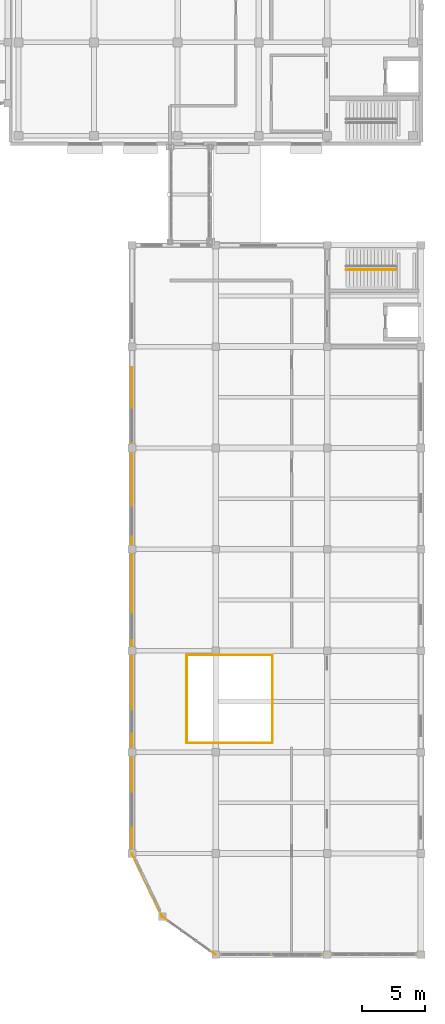
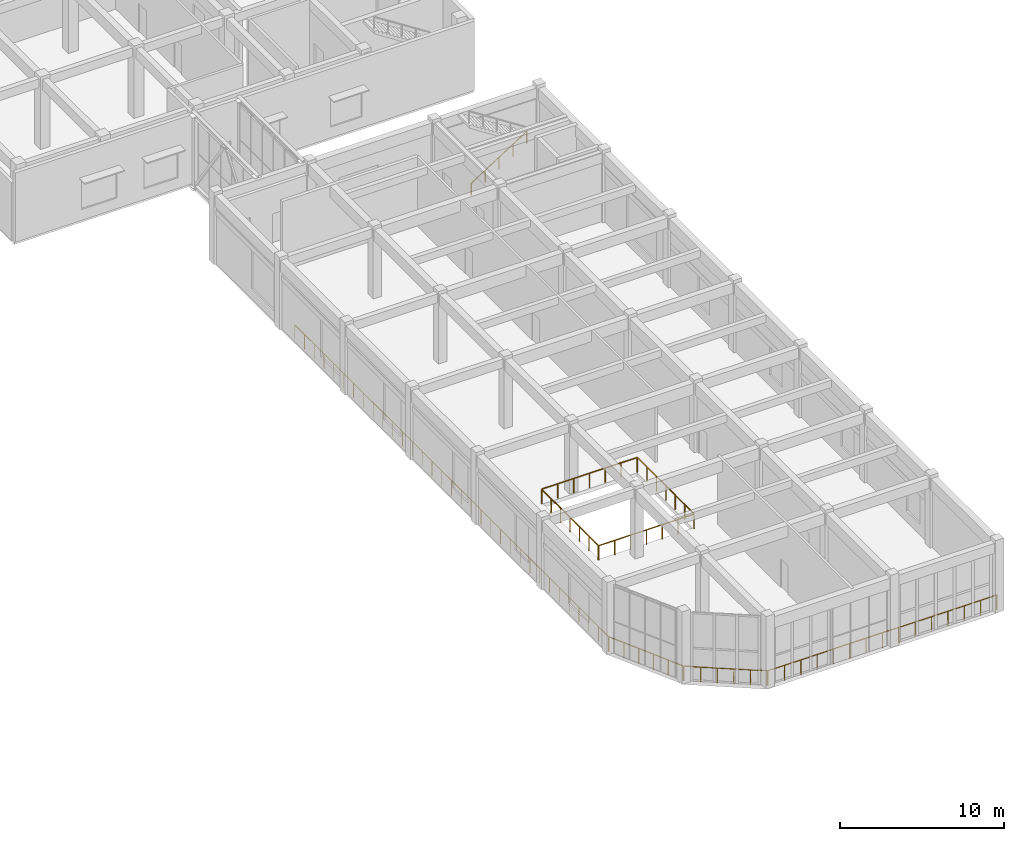
# One storey, part 60 of 64: 9 railings.
"""IFC4 building model written with IfcOpenShell, lengths in metres."""

from ifc_helpers import new_model, si_unit, direction, frame, origin, origin_2d, place, context, subcontext, project, spatial, circle, extrude, material, type_object, element, save


model = new_model("IFC4")

# Units and contexts
model_context = context("Model", 3, precision=1e-05, world=origin(), true_north=direction((0.0, 1.0)))
body_context = subcontext(model_context, "Body", "Model", "MODEL_VIEW")
ifc_project = project(units=[si_unit("LENGTHUNIT", "METRE"), si_unit("AREAUNIT", "SQUARE_METRE"), si_unit("VOLUMEUNIT", "CUBIC_METRE"), si_unit("PLANEANGLEUNIT", "RADIAN"), si_unit("MASSUNIT", "GRAM", prefix="KILO")], contexts=[model_context])

# Site, building, storey
site_placement = place(None, origin())
site = spatial("IfcSite", under=ifc_project, at=site_placement, CompositionType="ELEMENT")
building_placement = place(site_placement, origin())
building = spatial("IfcBuilding", under=site, at=building_placement, Name="Cinchona Park Media Centre", CompositionType="ELEMENT")
storey_placement = place(building_placement, frame((0.0, 0.0, 10.199951171875)))
storey = spatial("IfcBuildingStorey", under=building, at=storey_placement, Name="L02", CompositionType="ELEMENT", Elevation=10.199951171875)

# Railings
ifc_material_1 = material(Name="Galvanised Painted Steel Balustrade", Category="steel")
railing_type_1 = type_object("IfcRailingType", Name="RAILING-GR01", PredefinedType="BALUSTRADE", material=ifc_material_1)
railing_1_placement = place(storey_placement, frame((153.552001953125, 24.320068359375, 0.0)))
element("IfcRailing", 1, at=railing_1_placement, inside=storey, type_object=railing_type_1, Name="Atrium Balustrade GR01 VOID-L02-ATRIUM S1", PredefinedType="BALUSTRADE", context=body_context, shape_type="SweptSolid", body=[
    extrude(circle(Radius=0.02392578125, at=origin_2d()), frame((0.0, 0.0, 1.076171875), z_axis=(1.0, 0.0, 0.0), x_axis=(0.0, 1.0, 0.0)), (0.0, 0.0, 1.0), 6.696044921875),
    extrude(circle(Radius=0.02099609375, at=origin_2d()), origin(), (0.0, 0.0, 1.0), 1.052001953125),
    extrude(circle(Radius=0.02099609375, at=origin_2d()), frame((1.115966796875, 0.0, 0.0)), (0.0, 0.0, 1.0), 1.052001953125),
    extrude(circle(Radius=0.02099609375, at=origin_2d()), frame((2.23193359375, 0.0, 0.0)), (0.0, 0.0, 1.0), 1.052001953125),
    extrude(circle(Radius=0.02099609375, at=origin_2d()), frame((3.34814453125, 0.0, 0.0)), (0.0, 0.0, 1.0), 1.052001953125),
    extrude(circle(Radius=0.02099609375, at=origin_2d()), frame((4.464111328125, 0.0, 0.0)), (0.0, 0.0, 1.0), 1.052001953125),
    extrude(circle(Radius=0.02099609375, at=origin_2d()), frame((5.580078125, 0.0, 0.0)), (0.0, 0.0, 1.0), 1.052001953125),
    extrude(circle(Radius=0.02099609375, at=origin_2d()), frame((6.696044921875, 0.0, 0.0)), (0.0, 0.0, 1.0), 1.052001953125),
])
railing_2_placement = place(storey_placement, frame((160.280029296875, 24.35205078125, 0.0)))
element("IfcRailing", 2, at=railing_2_placement, inside=storey, type_object=railing_type_1, Name="Atrium Balustrade GR01 VOID-L02-ATRIUM S2", PredefinedType="BALUSTRADE", context=body_context, shape_type="SweptSolid", body=[
    extrude(circle(Radius=0.02392578125, at=origin_2d()), frame((0.0, 0.0, 1.076171875), z_axis=(0.0, 1.0, 0.0), x_axis=(-1.0, 0.0, 0.0)), (0.0, 0.0, 1.0), 6.89599609375),
    extrude(circle(Radius=0.02099609375, at=origin_2d()), origin(), (0.0, 0.0, 1.0), 1.052001953125),
    extrude(circle(Radius=0.02099609375, at=origin_2d()), frame((0.0, 1.1494140625, 0.0)), (0.0, 0.0, 1.0), 1.052001953125),
    extrude(circle(Radius=0.02099609375, at=origin_2d()), frame((0.0, 2.298583984375, 0.0)), (0.0, 0.0, 1.0), 1.052001953125),
    extrude(circle(Radius=0.02099609375, at=origin_2d()), frame((0.0, 3.447998046875, 0.0)), (0.0, 0.0, 1.0), 1.052001953125),
    extrude(circle(Radius=0.02099609375, at=origin_2d()), frame((0.0, 4.597412109375, 0.0)), (0.0, 0.0, 1.0), 1.052001953125),
    extrude(circle(Radius=0.02099609375, at=origin_2d()), frame((0.0, 5.74658203125, 0.0)), (0.0, 0.0, 1.0), 1.052001953125),
    extrude(circle(Radius=0.02099609375, at=origin_2d()), frame((0.0, 6.89599609375, 0.0)), (0.0, 0.0, 1.0), 1.052001953125),
])
railing_3_placement = place(storey_placement, frame((160.248046875, 31.280029296875, 0.0)))
element("IfcRailing", 3, at=railing_3_placement, inside=storey, type_object=railing_type_1, Name="Atrium Balustrade GR01 VOID-L02-ATRIUM S3", PredefinedType="BALUSTRADE", context=body_context, shape_type="SweptSolid", body=[
    extrude(circle(Radius=0.02392578125, at=origin_2d()), frame((0.0, 0.0, 1.076171875), z_axis=(-1.0, 0.0, 0.0), x_axis=(0.0, -1.0, 0.0)), (0.0, 0.0, 1.0), 6.696044921875),
    extrude(circle(Radius=0.02099609375, at=origin_2d()), origin(), (0.0, 0.0, 1.0), 1.052001953125),
    extrude(circle(Radius=0.02099609375, at=origin_2d()), frame((-1.115966796875, 0.0, 0.0)), (0.0, 0.0, 1.0), 1.052001953125),
    extrude(circle(Radius=0.02099609375, at=origin_2d()), frame((-2.23193359375, 0.0, 0.0)), (0.0, 0.0, 1.0), 1.052001953125),
    extrude(circle(Radius=0.02099609375, at=origin_2d()), frame((-3.34814453125, 0.0, 0.0)), (0.0, 0.0, 1.0), 1.052001953125),
    extrude(circle(Radius=0.02099609375, at=origin_2d()), frame((-4.464111328125, 0.0, 0.0)), (0.0, 0.0, 1.0), 1.052001953125),
    extrude(circle(Radius=0.02099609375, at=origin_2d()), frame((-5.580078125, 0.0, 0.0)), (0.0, 0.0, 1.0), 1.052001953125),
    extrude(circle(Radius=0.02099609375, at=origin_2d()), frame((-6.696044921875, 0.0, 0.0)), (0.0, 0.0, 1.0), 1.052001953125),
])
railing_4_placement = place(storey_placement, frame((153.52001953125, 31.248046875, 0.0)))
element("IfcRailing", 4, at=railing_4_placement, inside=storey, type_object=railing_type_1, Name="Atrium Balustrade GR01 VOID-L02-ATRIUM S4", PredefinedType="BALUSTRADE", context=body_context, shape_type="SweptSolid", body=[
    extrude(circle(Radius=0.02392578125, at=origin_2d()), frame((0.0, 0.0, 1.076171875), z_axis=(0.0, -1.0, 0.0), x_axis=(1.0, 0.0, 0.0)), (0.0, 0.0, 1.0), 6.89599609375),
    extrude(circle(Radius=0.02099609375, at=origin_2d()), origin(), (0.0, 0.0, 1.0), 1.052001953125),
    extrude(circle(Radius=0.02099609375, at=origin_2d()), frame((0.0, -1.1494140625, 0.0)), (0.0, 0.0, 1.0), 1.052001953125),
    extrude(circle(Radius=0.02099609375, at=origin_2d()), frame((0.0, -2.298583984375, 0.0)), (0.0, 0.0, 1.0), 1.052001953125),
    extrude(circle(Radius=0.02099609375, at=origin_2d()), frame((0.0, -3.447998046875, 0.0)), (0.0, 0.0, 1.0), 1.052001953125),
    extrude(circle(Radius=0.02099609375, at=origin_2d()), frame((0.0, -4.597412109375, 0.0)), (0.0, 0.0, 1.0), 1.052001953125),
    extrude(circle(Radius=0.02099609375, at=origin_2d()), frame((0.0, -5.74658203125, 0.0)), (0.0, 0.0, 1.0), 1.052001953125),
    extrude(circle(Radius=0.02099609375, at=origin_2d()), frame((0.0, -6.89599609375, 0.0)), (0.0, 0.0, 1.0), 1.052001953125),
])
railing_5_placement = place(storey_placement, frame((149.199951171875, 53.968017578125, 0.0)))
element("IfcRailing", 5, at=railing_5_placement, inside=storey, type_object=railing_type_1, Name="Glazed Prow Perimeter Guardrail GR01 L02 S1", PredefinedType="BALUSTRADE", context=body_context, shape_type="SweptSolid", body=[
    extrude(circle(Radius=0.02392578125, at=origin_2d()), frame((0.0, 0.0, 1.09619140625), z_axis=(0.0, -1.0, 0.0), x_axis=(1.0, 0.0, 0.0)), (0.0, 0.0, 1.0), 38.3359375),
    extrude(circle(Radius=0.02099609375, at=origin_2d()), origin(), (0.0, 0.0, 1.0), 1.072021484375),
    extrude(circle(Radius=0.02099609375, at=origin_2d()), frame((0.0, -1.197998046875, 0.0)), (0.0, 0.0, 1.0), 1.072021484375),
    extrude(circle(Radius=0.02099609375, at=origin_2d()), frame((0.0, -2.39599609375, 0.0)), (0.0, 0.0, 1.0), 1.072021484375),
    extrude(circle(Radius=0.02099609375, at=origin_2d()), frame((0.0, -3.593994140625, 0.0)), (0.0, 0.0, 1.0), 1.072021484375),
    extrude(circle(Radius=0.02099609375, at=origin_2d()), frame((0.0, -4.7919921875, 0.0)), (0.0, 0.0, 1.0), 1.072021484375),
    extrude(circle(Radius=0.02099609375, at=origin_2d()), frame((0.0, -5.989990234375, 0.0)), (0.0, 0.0, 1.0), 1.072021484375),
    extrude(circle(Radius=0.02099609375, at=origin_2d()), frame((0.0, -7.18798828125, 0.0)), (0.0, 0.0, 1.0), 1.072021484375),
    extrude(circle(Radius=0.02099609375, at=origin_2d()), frame((0.0, -8.385986328125, 0.0)), (0.0, 0.0, 1.0), 1.072021484375),
    extrude(circle(Radius=0.02099609375, at=origin_2d()), frame((0.0, -9.583984375, 0.0)), (0.0, 0.0, 1.0), 1.072021484375),
    extrude(circle(Radius=0.02099609375, at=origin_2d()), frame((0.0, -10.781982421875, 0.0)), (0.0, 0.0, 1.0), 1.072021484375),
    extrude(circle(Radius=0.02099609375, at=origin_2d()), frame((0.0, -11.97998046875, 0.0)), (0.0, 0.0, 1.0), 1.072021484375),
    extrude(circle(Radius=0.02099609375, at=origin_2d()), frame((0.0, -13.177978515625, 0.0)), (0.0, 0.0, 1.0), 1.072021484375),
    extrude(circle(Radius=0.02099609375, at=origin_2d()), frame((0.0, -14.3759765625, 0.0)), (0.0, 0.0, 1.0), 1.072021484375),
    extrude(circle(Radius=0.02099609375, at=origin_2d()), frame((0.0, -15.573974609375, 0.0)), (0.0, 0.0, 1.0), 1.072021484375),
    extrude(circle(Radius=0.02099609375, at=origin_2d()), frame((0.0, -16.77197265625, 0.0)), (0.0, 0.0, 1.0), 1.072021484375),
    extrude(circle(Radius=0.02099609375, at=origin_2d()), frame((0.0, -17.969970703125, 0.0)), (0.0, 0.0, 1.0), 1.072021484375),
    extrude(circle(Radius=0.02099609375, at=origin_2d()), frame((0.0, -19.16796875, 0.0)), (0.0, 0.0, 1.0), 1.072021484375),
    extrude(circle(Radius=0.02099609375, at=origin_2d()), frame((0.0, -20.365966796875, 0.0)), (0.0, 0.0, 1.0), 1.072021484375),
    extrude(circle(Radius=0.02099609375, at=origin_2d()), frame((0.0, -21.56396484375, 0.0)), (0.0, 0.0, 1.0), 1.072021484375),
    extrude(circle(Radius=0.02099609375, at=origin_2d()), frame((0.0, -22.761962890625, 0.0)), (0.0, 0.0, 1.0), 1.072021484375),
    extrude(circle(Radius=0.02099609375, at=origin_2d()), frame((0.0, -23.9599609375, 0.0)), (0.0, 0.0, 1.0), 1.072021484375),
    extrude(circle(Radius=0.02099609375, at=origin_2d()), frame((0.0, -25.157958984375, 0.0)), (0.0, 0.0, 1.0), 1.072021484375),
    extrude(circle(Radius=0.02099609375, at=origin_2d()), frame((0.0, -26.35595703125, 0.0)), (0.0, 0.0, 1.0), 1.072021484375),
    extrude(circle(Radius=0.02099609375, at=origin_2d()), frame((0.0, -27.553955078125, 0.0)), (0.0, 0.0, 1.0), 1.072021484375),
    extrude(circle(Radius=0.02099609375, at=origin_2d()), frame((0.0, -28.751953125, 0.0)), (0.0, 0.0, 1.0), 1.072021484375),
    extrude(circle(Radius=0.02099609375, at=origin_2d()), frame((0.0, -29.949951171875, 0.0)), (0.0, 0.0, 1.0), 1.072021484375),
    extrude(circle(Radius=0.02099609375, at=origin_2d()), frame((0.0, -31.14794921875, 0.0)), (0.0, 0.0, 1.0), 1.072021484375),
    extrude(circle(Radius=0.02099609375, at=origin_2d()), frame((0.0, -32.345947265625, 0.0)), (0.0, 0.0, 1.0), 1.072021484375),
    extrude(circle(Radius=0.02099609375, at=origin_2d()), frame((0.0, -33.5439453125, 0.0)), (0.0, 0.0, 1.0), 1.072021484375),
    extrude(circle(Radius=0.02099609375, at=origin_2d()), frame((0.0, -34.741943359375, 0.0)), (0.0, 0.0, 1.0), 1.072021484375),
    extrude(circle(Radius=0.02099609375, at=origin_2d()), frame((0.0, -35.93994140625, 0.0)), (0.0, 0.0, 1.0), 1.072021484375),
    extrude(circle(Radius=0.02099609375, at=origin_2d()), frame((0.0, -37.137939453125, 0.0)), (0.0, 0.0, 1.0), 1.072021484375),
    extrude(circle(Radius=0.02099609375, at=origin_2d()), frame((0.0, -38.3359375, 0.0)), (0.0, 0.0, 1.0), 1.072021484375),
])
railing_6_placement = place(storey_placement, frame((149.214111328125, 15.571044921875, 0.0)))
element("IfcRailing", 6, at=railing_6_placement, inside=storey, type_object=railing_type_1, Name="Glazed Prow Perimeter Guardrail GR01 L02 S2", PredefinedType="BALUSTRADE", context=body_context, shape_type="SweptSolid", body=[
    extrude(circle(Radius=0.02392578125, at=origin_2d()), frame((0.0, 0.0, 1.09619140625), z_axis=(0.432671704006, -0.901551549582, 0.0), x_axis=(0.901551549582, 0.432671704006, 0.0)), (0.0, 0.0, 1.0), 5.48193359375),
    extrude(circle(Radius=0.02099609375, at=origin_2d()), origin(), (0.0, 0.0, 1.0), 1.072021484375),
    extrude(circle(Radius=0.02099609375, at=origin_2d()), frame((0.474365234375, -0.988525390625, 0.0)), (0.0, 0.0, 1.0), 1.072021484375),
    extrude(circle(Radius=0.02099609375, at=origin_2d()), frame((0.94873046875, -1.976806640625, 0.0)), (0.0, 0.0, 1.0), 1.072021484375),
    extrude(circle(Radius=0.02099609375, at=origin_2d()), frame((1.423095703125, -2.96533203125, 0.0)), (0.0, 0.0, 1.0), 1.072021484375),
    extrude(circle(Radius=0.02099609375, at=origin_2d()), frame((1.8974609375, -3.95361328125, 0.0)), (0.0, 0.0, 1.0), 1.072021484375),
    extrude(circle(Radius=0.02099609375, at=origin_2d()), frame((2.371826171875, -4.942138671875, 0.0)), (0.0, 0.0, 1.0), 1.072021484375),
])
railing_7_placement = place(storey_placement, frame((151.6259765625, 10.5810546875, 0.0)))
element("IfcRailing", 7, at=railing_7_placement, inside=storey, type_object=railing_type_1, Name="Glazed Prow Perimeter Guardrail GR01 L02 S3", PredefinedType="BALUSTRADE", context=body_context, shape_type="SweptSolid", body=[
    extrude(circle(Radius=0.02392578125, at=origin_2d()), frame((0.0, 0.0, 1.09619140625), z_axis=(0.813794957928, -0.581152102681, 0.0), x_axis=(0.581152102681, 0.813794957928, 0.0)), (0.0, 0.0, 1.0), 5.096923828125),
    extrude(circle(Radius=0.02099609375, at=origin_2d()), origin(), (0.0, 0.0, 1.0), 1.072021484375),
    extrude(circle(Radius=0.02099609375, at=origin_2d()), frame((0.82958984375, -0.592529296875, 0.0)), (0.0, 0.0, 1.0), 1.072021484375),
    extrude(circle(Radius=0.02099609375, at=origin_2d()), frame((1.6591796875, -1.184814453125, 0.0)), (0.0, 0.0, 1.0), 1.072021484375),
    extrude(circle(Radius=0.02099609375, at=origin_2d()), frame((2.48876953125, -1.77734375, 0.0)), (0.0, 0.0, 1.0), 1.072021484375),
    extrude(circle(Radius=0.02099609375, at=origin_2d()), frame((3.318359375, -2.36962890625, 0.0)), (0.0, 0.0, 1.0), 1.072021484375),
    extrude(circle(Radius=0.02099609375, at=origin_2d()), frame((4.14794921875, -2.962158203125, 0.0)), (0.0, 0.0, 1.0), 1.072021484375),
])
railing_8_placement = place(storey_placement, frame((155.83203125, 7.60009765625, 0.0)))
element("IfcRailing", 8, at=railing_8_placement, inside=storey, type_object=railing_type_1, Name="Glazed Prow Perimeter Guardrail GR01 L02 S4", PredefinedType="BALUSTRADE", context=body_context, shape_type="SweptSolid", body=[
    extrude(circle(Radius=0.02392578125, at=origin_2d()), frame((0.0, 0.0, 1.09619140625), z_axis=(1.0, 0.0, 0.0), x_axis=(0.0, 1.0, 0.0)), (0.0, 0.0, 1.0), 16.135986328125),
    extrude(circle(Radius=0.02099609375, at=origin_2d()), origin(), (0.0, 0.0, 1.0), 1.072021484375),
    extrude(circle(Radius=0.02099609375, at=origin_2d()), frame((1.152587890625, 0.0, 0.0)), (0.0, 0.0, 1.0), 1.072021484375),
    extrude(circle(Radius=0.02099609375, at=origin_2d()), frame((2.30517578125, 0.0, 0.0)), (0.0, 0.0, 1.0), 1.072021484375),
    extrude(circle(Radius=0.02099609375, at=origin_2d()), frame((3.457763671875, 0.0, 0.0)), (0.0, 0.0, 1.0), 1.072021484375),
    extrude(circle(Radius=0.02099609375, at=origin_2d()), frame((4.6103515625, 0.0, 0.0)), (0.0, 0.0, 1.0), 1.072021484375),
    extrude(circle(Radius=0.02099609375, at=origin_2d()), frame((5.762939453125, 0.0, 0.0)), (0.0, 0.0, 1.0), 1.072021484375),
    extrude(circle(Radius=0.02099609375, at=origin_2d()), frame((6.91552734375, 0.0, 0.0)), (0.0, 0.0, 1.0), 1.072021484375),
    extrude(circle(Radius=0.02099609375, at=origin_2d()), frame((8.06787109375, 0.0, 0.0)), (0.0, 0.0, 1.0), 1.072021484375),
    extrude(circle(Radius=0.02099609375, at=origin_2d()), frame((9.220458984375, 0.0, 0.0)), (0.0, 0.0, 1.0), 1.072021484375),
    extrude(circle(Radius=0.02099609375, at=origin_2d()), frame((10.373046875, 0.0, 0.0)), (0.0, 0.0, 1.0), 1.072021484375),
    extrude(circle(Radius=0.02099609375, at=origin_2d()), frame((11.525634765625, 0.0, 0.0)), (0.0, 0.0, 1.0), 1.072021484375),
    extrude(circle(Radius=0.02099609375, at=origin_2d()), frame((12.67822265625, 0.0, 0.0)), (0.0, 0.0, 1.0), 1.072021484375),
    extrude(circle(Radius=0.02099609375, at=origin_2d()), frame((13.830810546875, 0.0, 0.0)), (0.0, 0.0, 1.0), 1.072021484375),
    extrude(circle(Radius=0.02099609375, at=origin_2d()), frame((14.9833984375, 0.0, 0.0)), (0.0, 0.0, 1.0), 1.072021484375),
    extrude(circle(Radius=0.02099609375, at=origin_2d()), frame((16.135986328125, 0.0, 0.0)), (0.0, 0.0, 1.0), 1.072021484375),
])
ifc_material_2 = material(Name="Brushed Stainless Steel Handrail", Category="steel")
railing_type_2 = type_object("IfcRailingType", Name="RAILING-HR01", PredefinedType="HANDRAIL", material=ifc_material_2)
railing_9_placement = place(storey_placement, frame((166.10009765625, 61.659912109375, 0.179931640625)))
element("IfcRailing", 9, at=railing_9_placement, inside=storey, type_object=railing_type_2, Name="Stair Handrail HR01 ST7 L02 F1", PredefinedType="HANDRAIL", context=body_context, shape_type="SweptSolid", body=[
    extrude(circle(Radius=0.02392578125, at=origin_2d()), frame((0.0, 0.0, 0.8759765625), z_axis=(0.841171666519, 0.0, 0.540768182723), x_axis=(0.0, 1.0, 0.0)), (0.0, 0.0, 1.0), 4.66015625),
    extrude(circle(Radius=0.02099609375, at=origin_2d()), origin(), (0.0, 0.0, 1.0), 0.851806640625),
    extrude(circle(Radius=0.02099609375, at=origin_2d()), frame((0.97998046875, 0.0, 0.6298828125)), (0.0, 0.0, 1.0), 0.851806640625),
    extrude(circle(Radius=0.02099609375, at=origin_2d()), frame((1.9599609375, 0.0, 1.260009765625)), (0.0, 0.0, 1.0), 0.851806640625),
    extrude(circle(Radius=0.02099609375, at=origin_2d()), frame((2.93994140625, 0.0, 1.89013671875)), (0.0, 0.0, 1.0), 0.851806640625),
    extrude(circle(Radius=0.02099609375, at=origin_2d()), frame((3.919921875, 0.0, 2.52001953125)), (0.0, 0.0, 1.0), 0.851806640625),
])

save(model, "model.ifc")
